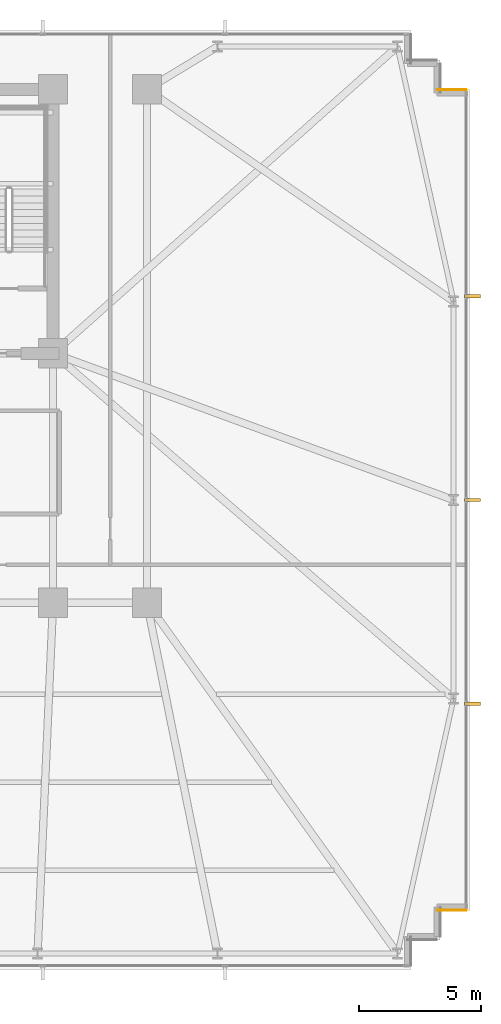
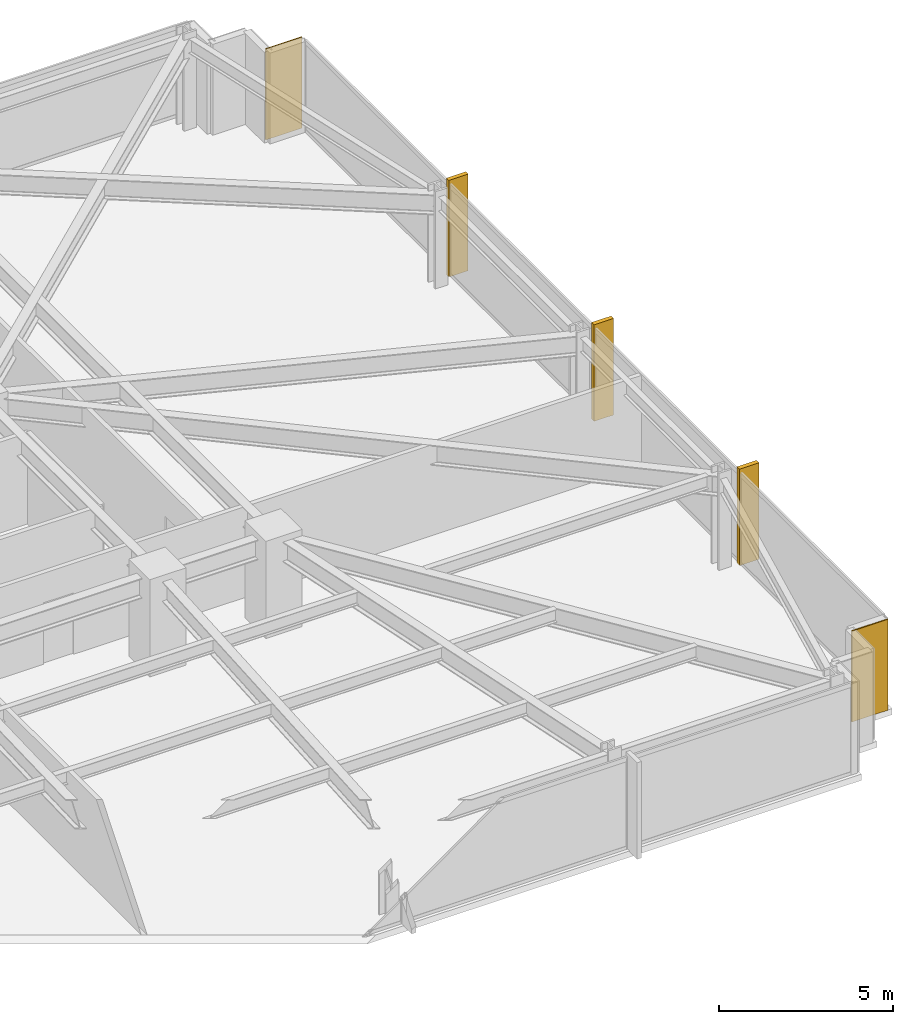
# One storey, part 32 of 32: 3 shading devices, 2 coverings.
"""IFC4 building model written with IfcOpenShell, lengths in metres."""

from ifc_helpers import new_model, si_unit, direction, frame, frame_2d, origin, origin_2d, place, context, subcontext, project, spatial, rectangle, extrude, material, layer, layer_set, type_object, element, save


model = new_model("IFC4")

# Units and contexts
model_context = context("Model", 3, precision=1e-05, world=origin(), true_north=direction((0.0, 1.0)))
body_context = subcontext(model_context, "Body", "Model", "MODEL_VIEW")
ifc_project = project(units=[si_unit("LENGTHUNIT", "METRE"), si_unit("AREAUNIT", "SQUARE_METRE"), si_unit("VOLUMEUNIT", "CUBIC_METRE"), si_unit("PLANEANGLEUNIT", "RADIAN"), si_unit("MASSUNIT", "GRAM", prefix="KILO")], contexts=[model_context])

# Site, building, storey
site_placement = place(None, origin())
site = spatial("IfcSite", under=ifc_project, at=site_placement, CompositionType="ELEMENT")
building_placement = place(site_placement, origin())
building = spatial("IfcBuilding", under=site, at=building_placement, Name="Yelkora Congress Tower", CompositionType="ELEMENT")
storey_placement = place(building_placement, frame((0.0, 0.0, 61.0)))
storey = spatial("IfcBuildingStorey", under=building, at=storey_placement, Name="L15", CompositionType="ELEMENT", Elevation=61.0)

# Coverings
ifc_material_1 = material(Name="Anatolian bush-hammered limestone", Category="masonry")
ifc_layer_1 = layer(ifc_material_1, 0.0400390625)
ifc_layer_set_1 = layer_set([ifc_layer_1], Name="Anatolian bush-hammered limestone")
covering_type = type_object("IfcCoveringType", Name="COV-CLAD-SPANDREL-40", PredefinedType="CLADDING", material=ifc_layer_set_1)
for number, where, z_axis, x_axis, name in (
    (1, (69.4599609375, 46.195068359375, 0.0), (0.0, 0.0, 1.0), (1.0, 0.0, 0.0), "L15 Anatolian Limestone Cladding EW-L15-SR14"),
    (2, (70.659912109375, 12.60498046875, 0.0), (0.0, 0.0, 1.0), (-1.0, 0.0, 0.0), "L15 Anatolian Limestone Cladding EW-L15-SR16"),
):
    element("IfcCovering", number, at=place(storey_placement, frame(where, z_axis=z_axis, x_axis=x_axis)), inside=storey, type_object=covering_type, Name=name, PredefinedType="CLADDING", context=body_context, shape_type="SweptSolid", body=[
        extrude(rectangle(XDim=1.199951171875, YDim=0.0400390625, at=frame_2d((0.60009765625, 0.0))), origin(), (0.0, 0.0, 1.0), 3.179931640625),
    ])

# Shading devices
ifc_material_2 = material(Name="Champagne anodised aluminium", Category="aluminium")
ifc_layer_2 = layer(ifc_material_2, 3.39990234375)
ifc_layer_set_2 = layer_set([ifc_layer_2], Name="Champagne anodised aluminium")
shading_device_type = type_object("IfcShadingDeviceType", Name="SHD-FIN-ALU-640", PredefinedType="USERDEFINED", material=ifc_layer_set_2)
for number, where, z_axis, x_axis, name in (
    (3, (70.919921875, 37.72998046875, -0.030029296875), (0.0, 0.0, 1.0), (0.0, -1.0, 0.0), "L15 Vertical Anodised Solar Fin 15-1"),
    (4, (70.919921875, 29.39990234375, -0.030029296875), (0.0, 0.0, 1.0), (0.0, -1.0, 0.0), "L15 Vertical Anodised Solar Fin 15-2"),
    (5, (70.919921875, 21.070068359375, -0.030029296875), (0.0, 0.0, 1.0), (0.0, -1.0, 0.0), "L15 Vertical Anodised Solar Fin 15-3"),
):
    element("IfcShadingDevice", number, at=place(storey_placement, frame(where, z_axis=z_axis, x_axis=x_axis)), inside=storey, type_object=shading_device_type, Name=name, ObjectType="FIN", PredefinedType="USERDEFINED", context=body_context, shape_type="SweptSolid", body=[
        extrude(rectangle(XDim=0.139892578125, YDim=0.639892578125, at=origin_2d()), origin(), (0.0, 0.0, 1.0), 3.3798828125),
    ])

save(model, "model.ifc")
